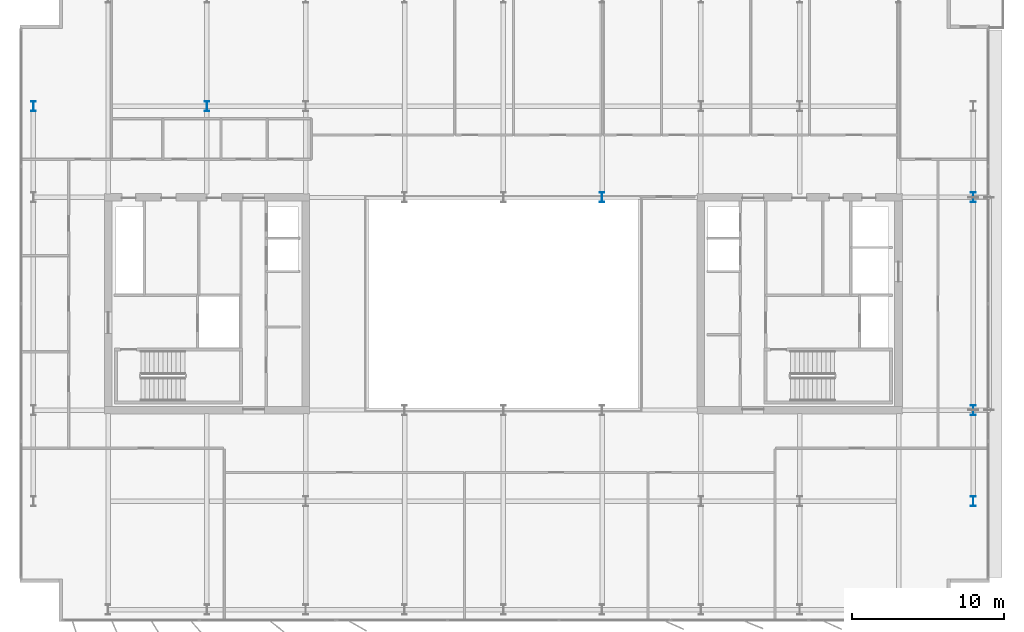
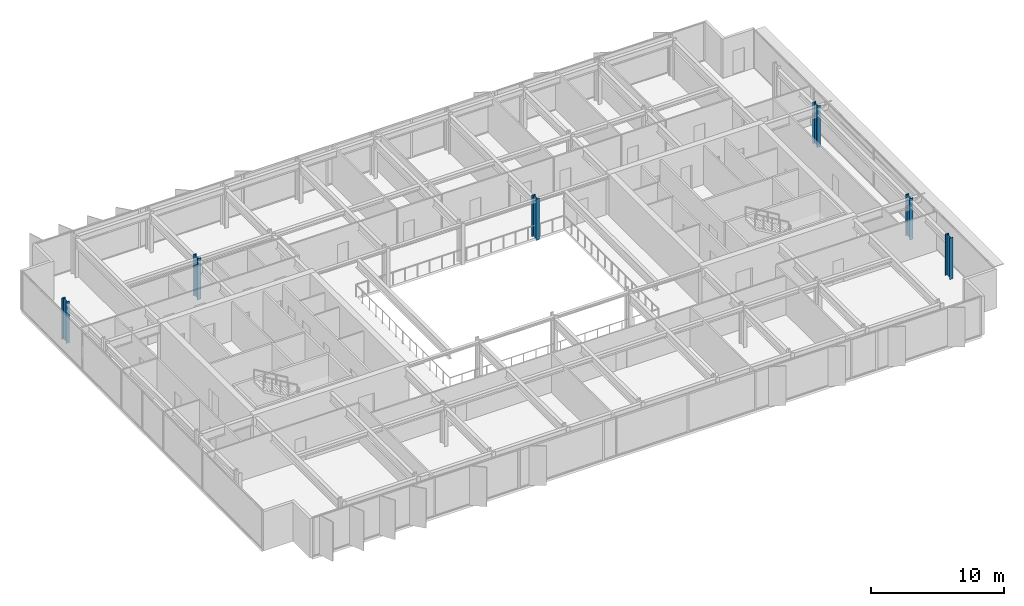
# One storey, part 2 of 19: 6 columns.
"""IFC4 building model written with IfcOpenShell, lengths in metres."""

import ifcopenshell
import ifcopenshell.guid

model = None  # the IFC model being written
_history = None  # IfcOwnerHistory: only IFC2X3 demands one
_inside = {}  # id of a spatial element -> (the spatial element, [elements in it])
_under = {}  # id of a project, library or spatial element -> (it, [spatial elements below it])
_declared = {}  # id of a project -> (the project, [libraries it declares])
_typed = {}  # id of a type object -> (the type object, [elements of that type])
_made_of = {}  # id of a material, layer set ... -> (it, [elements and type objects made of it])


def new_model(schema):
    """Start an empty IFC model of exactly this schema.

    Asked for "IFC4X3", IfcOpenShell would pick the latest addendum, in which some entities
    have other attributes; the version numbers below select the first issue.
    IFC2X3 requires an IfcOwnerHistory on every rooted entity: one is made here for all.
    """
    global model, _history
    if schema == "IFC4X3":
        model = ifcopenshell.file(schema_version=(4, 3, 0, 0))
    else:
        model = ifcopenshell.file(schema=schema)
    _inside.clear()
    _under.clear()
    _declared.clear()
    _typed.clear()
    _made_of.clear()
    _history = None
    if model.schema == "IFC2X3":
        org = make("IfcOrganization", Name="unknown")
        user = make(
            "IfcPersonAndOrganization",
            ThePerson=make("IfcPerson", FamilyName="unknown"),
            TheOrganization=org,
        )
        app = make(
            "IfcApplication",
            ApplicationDeveloper=org,
            Version="unknown",
            ApplicationFullName="unknown",
            ApplicationIdentifier="unknown",
        )
        _history = make(
            "IfcOwnerHistory",
            OwningUser=user,
            OwningApplication=app,
            ChangeAction="ADDED",
            CreationDate=0,
        )
    return model


def make(cls, **values):
    """One entity of the class cls with the attributes given. An attribute that is None is left unset."""
    return model.create_entity(
        cls, **{name: value for name, value in values.items() if value is not None}
    )


def rooted(cls, **values):
    """An entity with a GlobalId (a new one), such as an element, a storey or a relation."""
    return make(cls, GlobalId=ifcopenshell.guid.new(), OwnerHistory=_history, **values)


def si_unit(unit_type, name, prefix=None):
    """IfcSIUnit, for example si_unit("LENGTHUNIT", "METRE", prefix="MILLI")."""
    return make("IfcSIUnit", UnitType=unit_type, Prefix=prefix, Name=name)


def assignment(units):
    """IfcUnitAssignment: the units of a project."""
    return None if units is None else make("IfcUnitAssignment", Units=units)


def point(xyz):
    """IfcCartesianPoint."""
    return None if xyz is None else make("IfcCartesianPoint", Coordinates=xyz)


def direction(xyz):
    """IfcDirection."""
    return None if xyz is None else make("IfcDirection", DirectionRatios=xyz)


def frame(location, z_axis=None, x_axis=None):
    """IfcAxis2Placement3D, a coordinate frame: its origin and axes. An axis left out is left unset."""
    return make(
        "IfcAxis2Placement3D",
        Location=point(location),
        Axis=direction(z_axis),
        RefDirection=direction(x_axis),
    )


def frame_2d(location, x_axis=None):
    """IfcAxis2Placement2D, a coordinate frame in the plane: its origin and x axis."""
    return make(
        "IfcAxis2Placement2D", Location=point(location), RefDirection=direction(x_axis)
    )


def origin():
    """The frame at (0, 0, 0) with its axes left unset."""
    return frame((0.0, 0.0, 0.0))


def origin_2d():
    """The frame at (0, 0) in the plane with its x axis left unset."""
    return frame_2d((0.0, 0.0))


def place(relative_to, where):
    """IfcLocalPlacement: puts the frame where relative to a parent placement (None: the world)."""
    return make(
        "IfcLocalPlacement", PlacementRelTo=relative_to, RelativePlacement=where
    )


def context(
    kind, dimensions, precision=None, world=None, true_north=None, identifier=None
):
    """IfcGeometricRepresentationContext, for example the 3D "Model" context."""
    return make(
        "IfcGeometricRepresentationContext",
        ContextIdentifier=identifier,
        ContextType=kind,
        CoordinateSpaceDimension=dimensions,
        Precision=precision,
        WorldCoordinateSystem=world,
        TrueNorth=true_north,
    )


def subcontext(parent, identifier, kind, view, scale=None):
    """IfcGeometricRepresentationSubContext, for example "Body" below "Model"."""
    return make(
        "IfcGeometricRepresentationSubContext",
        ContextIdentifier=identifier,
        ContextType=kind,
        ParentContext=parent,
        TargetScale=scale,
        TargetView=view,
    )


def project(units=None, contexts=None):
    """IfcProject with its units and contexts."""
    return rooted(
        "IfcProject",
        Name="project",
        RepresentationContexts=contexts,
        UnitsInContext=assignment(units),
    )


def spatial(cls, under=None, at=None, **own):
    """A site, building, storey or space (cls), placed at a placement, below another one or the project."""
    s = rooted(cls, ObjectPlacement=at, **own)
    if under is not None:
        _under.setdefault(under.id(), (under, []))[1].append(s)
    return s


def profile(cls, at=None, kind="AREA", **sizes):
    """A parametric profile (cls). Its sizes go by their IFC names, for example OverallWidth=200.0."""
    return make(cls, ProfileType=kind, Position=at, **sizes)


def i_section(**sizes):
    """IfcIShapeProfileDef."""
    return profile("IfcIShapeProfileDef", **sizes)


def extrude(swept, where, along, depth):
    """IfcExtrudedAreaSolid: the profile swept, set in the frame where, extruded along a direction by depth."""
    return make(
        "IfcExtrudedAreaSolid",
        SweptArea=swept,
        Position=where,
        ExtrudedDirection=direction(along),
        Depth=depth,
    )


def shape(context_of_items, identifier, shape_type, items):
    """IfcShapeRepresentation: the items that make up one representation, for example the "Body"."""
    return make(
        "IfcShapeRepresentation",
        ContextOfItems=context_of_items,
        RepresentationIdentifier=identifier,
        RepresentationType=shape_type,
        Items=items,
    )


def material(Name=None, Category=None):
    """IfcMaterial."""
    return make("IfcMaterial", Name=Name, Category=Category)


def material_profile(
    of_material, cross_section, Name=None, Category=None, Priority=None
):
    """IfcMaterialProfile: a cross section and its material."""
    return make(
        "IfcMaterialProfile",
        Name=Name,
        Material=of_material,
        Profile=cross_section,
        Priority=Priority,
        Category=Category,
    )


def profile_set(profiles, Name=None, composite=None):
    """IfcMaterialProfileSet."""
    return make(
        "IfcMaterialProfileSet",
        Name=Name,
        MaterialProfiles=profiles,
        CompositeProfile=composite,
    )


def made_of(thing, what):
    """Note that an element or type object is made of a material, layer set ...; save() writes the relation."""
    if what is not None:
        _made_of.setdefault(what.id(), (what, []))[1].append(thing)
    return thing


def type_object(cls, material=None, **own):
    """A type object (cls), such as IfcWallType, which elements share."""
    return made_of(rooted(cls, **own), material)


def element(
    cls,
    number,
    at=None,
    inside=None,
    cuts=None,
    type_object=None,
    material=None,
    context=None,
    identifier="Body",
    shape_type=None,
    held_by="IfcProductDefinitionShape",
    body=None,
    shapes=None,
    **own,
):
    """One element of the class cls, such as IfcWall. Its Tag is "e" and its number.

    at: its placement. inside: the storey or other place that contains it. cuts: it is an
    opening in that element (IfcRelVoidsElement). A single representation is given by context,
    identifier, shape_type and body (its items); several are given by shapes. held_by: the class
    of the entity that holds the representations. save() writes the other relations.
    """
    e = rooted(cls, Tag="e%d" % number, ObjectPlacement=at, **own)
    if body is not None:
        shapes = [shape(context, identifier, shape_type, body)]
    if shapes is not None:
        e.Representation = make(held_by, Representations=shapes)
    if inside is not None:
        _inside.setdefault(inside.id(), (inside, []))[1].append(e)
    if cuts is not None:
        rooted(
            "IfcRelVoidsElement", RelatingBuildingElement=cuts, RelatedOpeningElement=e
        )
    if type_object is not None:
        _typed.setdefault(type_object.id(), (type_object, []))[1].append(e)
    return made_of(e, material)


def aggregate(whole, parts):
    """IfcRelAggregates: a whole, such as a stair, and the parts it consists of."""
    return rooted("IfcRelAggregates", RelatingObject=whole, RelatedObjects=parts)


def save(model, path):
    """Write the relations noted so far, then the file.

    IfcRelAggregates (storeys below a building ...), IfcRelContainedInSpatialStructure (elements
    in a storey), IfcRelDefinesByType, IfcRelAssociatesMaterial and IfcRelDeclares: one each for
    every whole, place, type object, material and project.
    """
    for whole, parts in _under.values():
        aggregate(whole, parts)
    for where, things in _inside.values():
        rooted(
            "IfcRelContainedInSpatialStructure",
            RelatedElements=things,
            RelatingStructure=where,
        )
    for kind, things in _typed.values():
        rooted("IfcRelDefinesByType", RelatedObjects=things, RelatingType=kind)
    for what, things in _made_of.values():
        rooted("IfcRelAssociatesMaterial", RelatedObjects=things, RelatingMaterial=what)
    for by, libraries in _declared.values():
        rooted("IfcRelDeclares", RelatingContext=by, RelatedDefinitions=libraries)
    model.write(path)


model = new_model("IFC4")

# Units and contexts
model_context = context("Model", 3, precision=1e-05, world=origin(), true_north=direction((0.0, 1.0)))
body_context = subcontext(model_context, "Body", "Model", "MODEL_VIEW")
ifc_project = project(units=[si_unit("LENGTHUNIT", "METRE"), si_unit("AREAUNIT", "SQUARE_METRE"), si_unit("VOLUMEUNIT", "CUBIC_METRE"), si_unit("PLANEANGLEUNIT", "RADIAN"), si_unit("MASSUNIT", "GRAM", prefix="KILO")], contexts=[model_context])

# Site, building, storey
site_placement = place(None, origin())
site = spatial("IfcSite", under=ifc_project, at=site_placement, CompositionType="ELEMENT")
building_placement = place(site_placement, origin())
building = spatial("IfcBuilding", under=site, at=building_placement, Name="Putna Gate Headquarters", CompositionType="ELEMENT")
storey_placement = place(building_placement, frame((0.0, 0.0, 263.199951171875)))
storey = spatial("IfcBuildingStorey", under=building, at=storey_placement, Name="L66", CompositionType="ELEMENT", Elevation=263.199951171875)

# Columns
ifc_material = material(Name="Steel S460M", Category="steel")
ifc_material_profile_1 = material_profile(ifc_material, i_section(OverallWidth=0.304931640625, OverallDepth=0.66796875, WebThickness=0.02099609375, FlangeThickness=0.0400390625, at=origin_2d()), Name="Steel S460M")
ifc_profile_set_1 = profile_set([ifc_material_profile_1], Name="Steel S460M")
column_type_1 = type_object("IfcColumnType", Name="COL-STL-HEM650-EXT", PredefinedType="COLUMN", material=ifc_profile_set_1)
for number, where, z_axis, x_axis, name in (
    (1, (69.919921875, 13.0, 0.0), (0.0, 0.0, 1.0), (1.0, 0.0, 0.0), "L66 Column CP-E13"),
    (2, (69.919921875, 19.0, 0.0), (0.0, 0.0, 1.0), (1.0, 0.0, 0.0), "L66 Column CP-E19"),
    (3, (69.919921875, 33.0, 0.0), (0.0, 0.0, 1.0), (1.0, 0.0, 0.0), "L66 Column CP-E33"),
    (4, (8.080078125, 39.0, 0.0), (0.0, 0.0, 1.0), (1.0, 0.0, 0.0), "L66 Column CP-W39"),
):
    element("IfcColumn", number, at=place(storey_placement, frame(where, z_axis=z_axis, x_axis=x_axis)), inside=storey, type_object=column_type_1, Name=name, PredefinedType="COLUMN", context=body_context, shape_type="SweptSolid", body=[
        extrude(i_section(OverallWidth=0.304931640625, OverallDepth=0.66796875, WebThickness=0.02099609375, FlangeThickness=0.0400390625, at=origin_2d()), origin(), (0.0, 0.0, 1.0), 3.800048828125),
    ])
ifc_material_profile_2 = material_profile(ifc_material, i_section(OverallWidth=0.304931640625, OverallDepth=0.66796875, WebThickness=0.02099609375, FlangeThickness=0.0400390625, at=origin_2d()), Name="Steel S460M")
ifc_profile_set_2 = profile_set([ifc_material_profile_2], Name="Steel S460M")
column_type_2 = type_object("IfcColumnType", Name="COL-STL-HEM650-INT", PredefinedType="COLUMN", material=ifc_profile_set_2)
for number, where, z_axis, x_axis, name in (
    (5, (19.5, 39.0, 0.0), (0.0, 0.0, 1.0), (1.0, 0.0, 0.0), "L66 Column CSI-WN"),
    (6, (45.5, 33.0, 0.0), (0.0, 0.0, 1.0), (1.0, 0.0, 0.0), "L66 Column CAI-N45"),
):
    element("IfcColumn", number, at=place(storey_placement, frame(where, z_axis=z_axis, x_axis=x_axis)), inside=storey, type_object=column_type_2, Name=name, PredefinedType="COLUMN", context=body_context, shape_type="SweptSolid", body=[
        extrude(i_section(OverallWidth=0.304931640625, OverallDepth=0.66796875, WebThickness=0.02099609375, FlangeThickness=0.0400390625, at=origin_2d()), origin(), (0.0, 0.0, 1.0), 3.800048828125),
    ])

save(model, "model.ifc")
